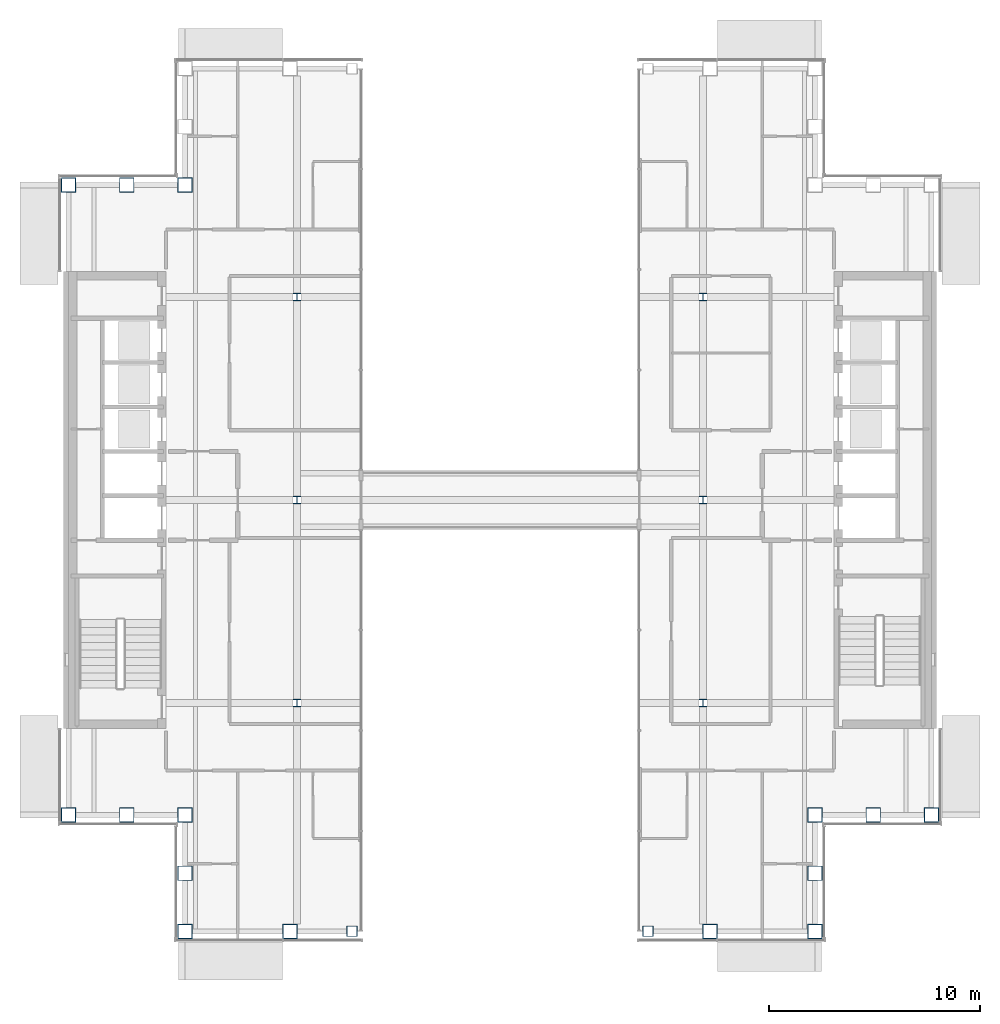
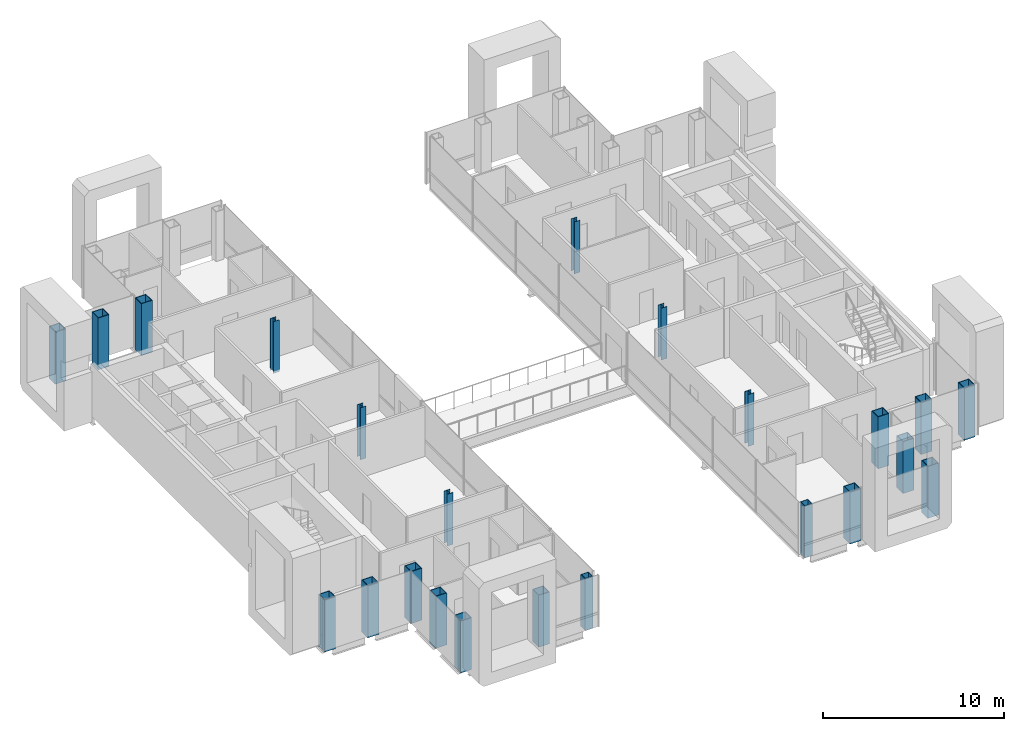
# One storey, part 1 of 17: 23 columns.
"""IFC4 building model written with IfcOpenShell, lengths in metres."""

from ifc_helpers import new_model, si_unit, direction, frame, origin, origin_2d, place, context, subcontext, project, spatial, hollow_rectangle, i_section, extrude, material, material_profile, profile_set, type_object, element, save


model = new_model("IFC4")

# Units and contexts
model_context = context("Model", 3, precision=1e-05, world=origin(), true_north=direction((0.0, 1.0)))
body_context = subcontext(model_context, "Body", "Model", "MODEL_VIEW")
ifc_project = project(units=[si_unit("LENGTHUNIT", "METRE"), si_unit("AREAUNIT", "SQUARE_METRE"), si_unit("VOLUMEUNIT", "CUBIC_METRE"), si_unit("PLANEANGLEUNIT", "RADIAN"), si_unit("MASSUNIT", "GRAM", prefix="KILO")], contexts=[model_context])

# Site, building, storey
site_placement = place(None, origin())
site = spatial("IfcSite", under=ifc_project, at=site_placement, CompositionType="ELEMENT")
building_placement = place(site_placement, origin())
building = spatial("IfcBuilding", under=site, at=building_placement, Name="Cobrizo Arcos Hotel Tower", CompositionType="ELEMENT")
storey_placement = place(building_placement, frame((0.0, 0.0, 226.0)))
storey = spatial("IfcBuildingStorey", under=building, at=storey_placement, Name="L59", CompositionType="ELEMENT", Elevation=226.0)

# Columns
ifc_material_1 = material(Name="Steel ASTM A572 Grade 50", Category="steel")
ifc_material_profile_1 = material_profile(ifc_material_1, hollow_rectangle(XDim=0.5, YDim=0.5, WallThickness=0.030029296875, at=origin_2d()), Name="BOX 500X500X30")
ifc_profile_set_1 = profile_set([ifc_material_profile_1], Name="Steel ASTM A572 Grade 50")
column_type_1 = type_object("IfcColumnType", Name="BOX 500X500X30 column", PredefinedType="COLUMN", material=ifc_profile_set_1)
for number, where, z_axis, x_axis, name in (
    (1, (-7.0, -20.39990234375, -0.14990234375), (0.0, 0.0, 1.0), (1.0, 0.0, 0.0), "Perimeter column C11, L59, no. 25"),
    (2, (7.0, -20.39990234375, -0.14990234375), (0.0, 0.0, 1.0), (1.0, 0.0, 0.0), "Perimeter column C11, L59, no. 27"),
):
    element("IfcColumn", number, at=place(storey_placement, frame(where, z_axis=z_axis, x_axis=x_axis)), inside=storey, type_object=column_type_1, Name=name, PredefinedType="COLUMN", context=body_context, shape_type="SweptSolid", body=[
        extrude(hollow_rectangle(XDim=0.5, YDim=0.5, WallThickness=0.030029296875, at=origin_2d()), origin(), (0.0, 0.0, 1.0), 3.5),
    ])
ifc_material_profile_2 = material_profile(ifc_material_1, hollow_rectangle(XDim=0.699951171875, YDim=0.699951171875, WallThickness=0.0400390625, at=origin_2d()), Name="BOX 700X700X40")
ifc_profile_set_2 = profile_set([ifc_material_profile_2], Name="Steel ASTM A572 Grade 50")
column_type_2 = type_object("IfcColumnType", Name="BOX 700X700X40 column", PredefinedType="COLUMN", material=ifc_profile_set_2)
for number, where, z_axis, x_axis, name in (
    (3, (-14.89990234375, -20.39990234375, -0.14990234375), (0.0, 0.0, 1.0), (1.0, 0.0, 0.0), "Perimeter column C10, L59, no. 01"),
    (4, (-9.93310546875, -20.39990234375, -0.14990234375), (0.0, 0.0, 1.0), (1.0, 0.0, 0.0), "Perimeter column C10, L59, no. 03"),
    (5, (9.93310546875, -20.39990234375, -0.14990234375), (0.0, 0.0, 1.0), (1.0, 0.0, 0.0), "Perimeter column C10, L59, no. 05"),
    (6, (14.89990234375, -20.39990234375, -0.14990234375), (0.0, 0.0, 1.0), (1.0, 0.0, 0.0), "Perimeter column C10, L59, no. 07"),
    (7, (20.39990234375, -14.89990234375, -0.14990234375), (0.0, 0.0, 1.0), (1.0, 0.0, 0.0), "Perimeter column C10, L59, no. 08"),
    (8, (-20.39990234375, -14.89990234375, -0.14990234375), (0.0, 0.0, 1.0), (1.0, 0.0, 0.0), "Perimeter column C10, L59, no. 09"),
    (9, (-20.39990234375, 14.89990234375, -0.14990234375), (0.0, 0.0, 1.0), (1.0, 0.0, 0.0), "Perimeter column C10, L59, no. 11"),
    (10, (-14.89990234375, -14.89990234375, -0.14990234375), (0.0, 0.0, 1.0), (1.0, 0.0, 0.0), "Perimeter column C10, L59, no. 12"),
    (11, (-14.89990234375, -17.64990234375, -0.14990234375), (0.0, 0.0, 1.0), (1.0, 0.0, 0.0), "Perimeter column C10, L59, no. 13"),
    (12, (-17.64990234375, -14.89990234375, -0.14990234375), (0.0, 0.0, 1.0), (1.0, 0.0, 0.0), "Perimeter column C10, L59, no. 14"),
    (13, (-14.89990234375, 14.89990234375, -0.14990234375), (0.0, 0.0, 1.0), (1.0, 0.0, 0.0), "Perimeter column C10, L59, no. 15"),
    (14, (-17.64990234375, 14.89990234375, -0.14990234375), (0.0, 0.0, 1.0), (1.0, 0.0, 0.0), "Perimeter column C10, L59, no. 17"),
    (15, (14.89990234375, -14.89990234375, -0.14990234375), (0.0, 0.0, 1.0), (1.0, 0.0, 0.0), "Perimeter column C10, L59, no. 18"),
    (16, (14.89990234375, -17.64990234375, -0.14990234375), (0.0, 0.0, 1.0), (1.0, 0.0, 0.0), "Perimeter column C10, L59, no. 19"),
    (17, (17.64990234375, -14.89990234375, -0.14990234375), (0.0, 0.0, 1.0), (1.0, 0.0, 0.0), "Perimeter column C10, L59, no. 20"),
):
    element("IfcColumn", number, at=place(storey_placement, frame(where, z_axis=z_axis, x_axis=x_axis)), inside=storey, type_object=column_type_2, Name=name, PredefinedType="COLUMN", context=body_context, shape_type="SweptSolid", body=[
        extrude(hollow_rectangle(XDim=0.699951171875, YDim=0.699951171875, WallThickness=0.0400390625, at=origin_2d()), origin(), (0.0, 0.0, 1.0), 3.5),
    ])
ifc_material_2 = material(Name="Steel ASTM A992 Grade 50", Category="steel")
ifc_material_profile_3 = material_profile(ifc_material_2, i_section(OverallWidth=0.373291015625, OverallDepth=0.373291015625, WebThickness=0.016357421875, FlangeThickness=0.026123046875, at=origin_2d()), Name="W14X132")
ifc_profile_set_3 = profile_set([ifc_material_profile_3], Name="Steel ASTM A992 Grade 50")
column_type_3 = type_object("IfcColumnType", Name="W14X132 interior column", PredefinedType="COLUMN", material=ifc_profile_set_3)
for number, where, z_axis, x_axis, name in (
    (18, (-9.60009765625, -9.60009765625, -0.14990234375), (0.0, 0.0, 1.0), (1.0, 0.0, 0.0), "Interior column C9, L59, no. 00"),
    (19, (-9.60009765625, 0.0, -0.14990234375), (0.0, 0.0, 1.0), (1.0, 0.0, 0.0), "Interior column C9, L59, no. 01"),
    (20, (-9.60009765625, 9.60009765625, -0.14990234375), (0.0, 0.0, 1.0), (1.0, 0.0, 0.0), "Interior column C9, L59, no. 02"),
    (21, (9.60009765625, -9.60009765625, -0.14990234375), (0.0, 0.0, 1.0), (1.0, 0.0, 0.0), "Interior column C9, L59, no. 03"),
    (22, (9.60009765625, 0.0, -0.14990234375), (0.0, 0.0, 1.0), (1.0, 0.0, 0.0), "Interior column C9, L59, no. 04"),
    (23, (9.60009765625, 9.60009765625, -0.14990234375), (0.0, 0.0, 1.0), (1.0, 0.0, 0.0), "Interior column C9, L59, no. 05"),
):
    element("IfcColumn", number, at=place(storey_placement, frame(where, z_axis=z_axis, x_axis=x_axis)), inside=storey, type_object=column_type_3, Name=name, PredefinedType="COLUMN", context=body_context, shape_type="SweptSolid", body=[
        extrude(i_section(OverallWidth=0.373291015625, OverallDepth=0.373291015625, WebThickness=0.016357421875, FlangeThickness=0.026123046875, at=origin_2d()), origin(), (0.0, 0.0, 1.0), 3.5),
    ])

save(model, "model.ifc")
